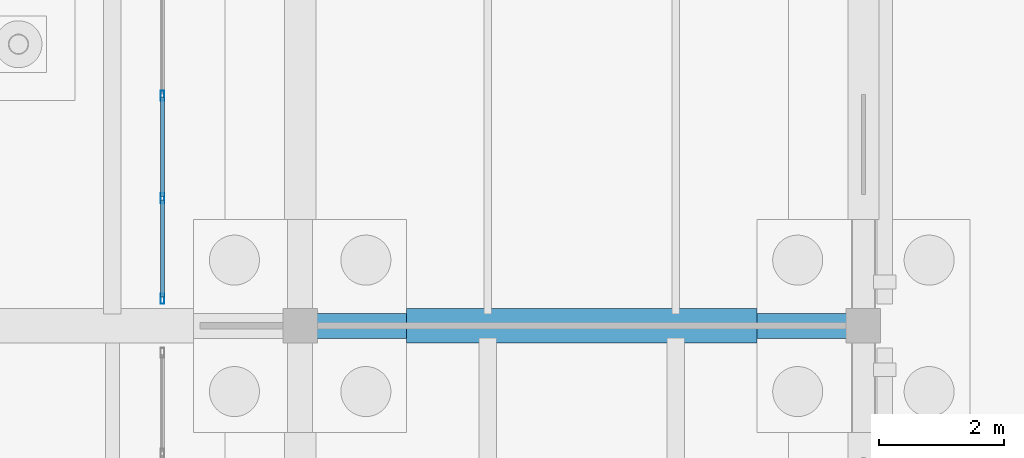
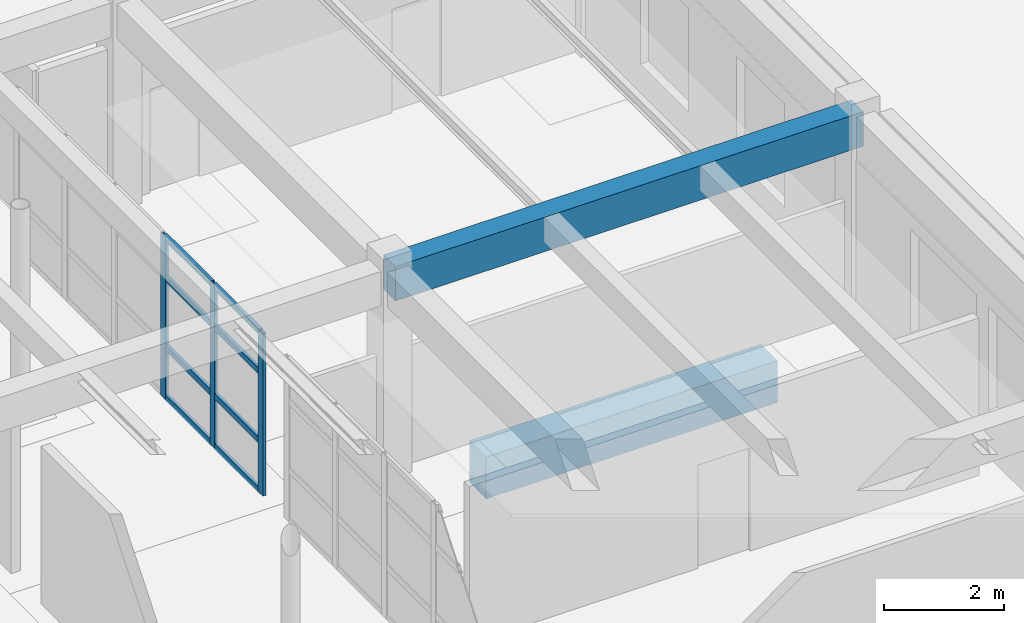
# One storey, part 53 of 186: 11 members, 2 beams, 1 element without a shape of its own.
"""IFC4 building model written with IfcOpenShell, lengths in metres."""

from ifc_helpers import new_model, si_unit, direction, frame, origin, origin_2d, place, context, subcontext, project, spatial, rectangle, hollow_rectangle, extrude, material, layer, layer_set, material_profile, profile_set, type_object, element, aggregate, save


model = new_model("IFC4")

# Units and contexts
model_context = context("Model", 3, precision=1e-05, world=origin(), true_north=direction((0.0, 1.0)))
body_context = subcontext(model_context, "Body", "Model", "MODEL_VIEW")
ifc_project = project(units=[si_unit("LENGTHUNIT", "METRE"), si_unit("AREAUNIT", "SQUARE_METRE"), si_unit("VOLUMEUNIT", "CUBIC_METRE"), si_unit("PLANEANGLEUNIT", "RADIAN"), si_unit("MASSUNIT", "GRAM", prefix="KILO")], contexts=[model_context])

# Site, building, storey
site_placement = place(None, origin())
site = spatial("IfcSite", under=ifc_project, at=site_placement, CompositionType="ELEMENT")
building_placement = place(site_placement, origin())
building = spatial("IfcBuilding", under=site, at=building_placement, Name="Ornek Quay Market", CompositionType="ELEMENT")
storey_placement = place(building_placement, origin())
storey = spatial("IfcBuildingStorey", under=building, at=storey_placement, Name="L00", CompositionType="ELEMENT", Elevation=0.0)

# Beams
ifc_material_1 = material(Name="Concrete C35/45", Category="concrete")
ifc_material_profile_1 = material_profile(ifc_material_1, rectangle(XDim=0.550048828125, YDim=0.85009765625, at=origin_2d()), Name="RC 550x850", Category="concrete")
ifc_profile_set_1 = profile_set([ifc_material_profile_1], Name="Concrete C35/45")
beam_type_1 = type_object("IfcBeamType", Name="BM-GB-550x850", PredefinedType="BEAM", material=ifc_profile_set_1)
beam_1_placement = place(storey_placement, frame((19.699951171875, 83.0, -0.625), z_axis=(1.0, 0.0, 0.0), x_axis=(0.0, 1.0, 0.0)))
element("IfcBeam", 1, at=beam_1_placement, inside=storey, type_object=beam_type_1, Name="Ground tie beam GB-032", PredefinedType="BEAM", context=body_context, shape_type="SweptSolid", body=[
    extrude(rectangle(XDim=0.550048828125, YDim=0.85009765625, at=origin_2d()), origin(), (0.0, 0.0, 1.0), 5.60009765625),
])
ifc_material_profile_2 = material_profile(ifc_material_1, rectangle(XDim=0.39990234375, YDim=0.699951171875, at=origin_2d()), Name="RC 400x700", Category="concrete")
ifc_profile_set_2 = profile_set([ifc_material_profile_2], Name="Concrete C35/45")
beam_type_2 = type_object("IfcBeamType", Name="BM-WW-400x700", PredefinedType="BEAM", material=ifc_profile_set_2)
beam_2_placement = place(storey_placement, frame((18.0, 83.0, 3.8701171875), z_axis=(1.0, 0.0, 0.0), x_axis=(0.0, 1.0, 0.0)))
element("IfcBeam", 2, at=beam_2_placement, inside=storey, type_object=beam_type_2, Name="Primary beam B-WW1-021", PredefinedType="BEAM", context=body_context, shape_type="SweptSolid", body=[
    extrude(rectangle(XDim=0.39990234375, YDim=0.699951171875, at=origin_2d()), origin(), (0.0, 0.0, 1.0), 9.0),
])

# Curtain wall, members
ifc_material_2 = material(Name="Anodised bronze aluminium and triple low-e glass", Category="aluminium")
ifc_layer = layer(ifc_material_2, 0.179931640625, Name="Anodised bronze aluminium and triple low-e glass", Category="aluminium")
ifc_layer_set = layer_set([ifc_layer], Name="Anodised bronze aluminium and triple low-e glass")
curtain_wall_type = type_object("IfcCurtainWallType", Name="CW-CONC-MOD1500", PredefinedType="USERDEFINED", material=ifc_layer_set)
curtain_wall_placement = place(storey_placement, origin())
curtain_wall = element("IfcCurtainWall", 3, at=curtain_wall_placement, inside=storey, type_object=curtain_wall_type, Name="Curtain wall CW-146", ObjectType="CURTAIN WALL", PredefinedType="USERDEFINED")
ifc_material_3 = material(Name="Anodised aluminium 6063-T6", Category="aluminium")
ifc_material_profile_3 = material_profile(ifc_material_3, hollow_rectangle(XDim=0.06005859375, YDim=0.159912109375, WallThickness=0.00390625, at=origin_2d()), Name="CW-MUL-60x160", Category="aluminium")
ifc_profile_set_3 = profile_set([ifc_material_profile_3], Name="Anodised aluminium 6063-T6")
member_type_1 = type_object("IfcMemberType", Name="CW-MUL-60x160", PredefinedType="MULLION", material=ifc_profile_set_3)
member_1_placement = place(storey_placement, frame((15.800048828125, 83.429931640625, 0.0), z_axis=(0.0, 0.0, 1.0), x_axis=(-1.0, 0.0, 0.0)))
member_1 = element("IfcMember", 4, at=member_1_placement, type_object=member_type_1, Name="CW-146 mullion 1", PredefinedType="MULLION", context=body_context, shape_type="SweptSolid", body=[
    extrude(hollow_rectangle(XDim=0.06005859375, YDim=0.159912109375, WallThickness=0.00390625, at=origin_2d()), origin(), (0.0, 0.0, 1.0), 3.300048828125),
])
member_2_placement = place(storey_placement, frame((15.800048828125, 85.0400390625, 0.0), z_axis=(0.0, 0.0, 1.0), x_axis=(-1.0, 0.0, 0.0)))
member_2 = element("IfcMember", 5, at=member_2_placement, type_object=member_type_1, Name="CW-146 mullion 2", PredefinedType="MULLION", context=body_context, shape_type="SweptSolid", body=[
    extrude(hollow_rectangle(XDim=0.06005859375, YDim=0.159912109375, WallThickness=0.00390625, at=origin_2d()), origin(), (0.0, 0.0, 1.0), 3.300048828125),
])
member_3_placement = place(storey_placement, frame((15.800048828125, 86.679931640625, 0.0), z_axis=(0.0, 0.0, 1.0), x_axis=(-1.0, 0.0, 0.0)))
member_3 = element("IfcMember", 6, at=member_3_placement, type_object=member_type_1, Name="CW-146 mullion 3", PredefinedType="MULLION", context=body_context, shape_type="SweptSolid", body=[
    extrude(hollow_rectangle(XDim=0.06005859375, YDim=0.159912109375, WallThickness=0.00390625, at=origin_2d()), origin(), (0.0, 0.0, 1.0), 3.300048828125),
])
ifc_material_profile_4 = material_profile(ifc_material_3, hollow_rectangle(XDim=0.06005859375, YDim=0.1201171875, WallThickness=0.00390625, at=origin_2d()), Name="CW-TRN-60x120", Category="aluminium")
ifc_profile_set_4 = profile_set([ifc_material_profile_4], Name="Anodised aluminium 6063-T6")
member_type_2 = type_object("IfcMemberType", Name="CW-TRN-60x120", PredefinedType="USERDEFINED", material=ifc_profile_set_4)
member_4_placement = place(storey_placement, frame((15.800048828125, 83.4599609375, 0.030029296875), z_axis=(0.0, 1.0, 0.0), x_axis=(-1.0, 0.0, 0.0)))
member_4 = element("IfcMember", 7, at=member_4_placement, type_object=member_type_2, Name="CW-146 transom 1.1", ObjectType="TRANSOM", PredefinedType="USERDEFINED", context=body_context, shape_type="SweptSolid", body=[
    extrude(hollow_rectangle(XDim=0.06005859375, YDim=0.1201171875, WallThickness=0.00390625, at=origin_2d()), origin(), (0.0, 0.0, 1.0), 1.550048828125),
])
member_5_placement = place(storey_placement, frame((15.800048828125, 83.4599609375, 1.050048828125), z_axis=(0.0, 1.0, 0.0), x_axis=(-1.0, 0.0, 0.0)))
member_5 = element("IfcMember", 8, at=member_5_placement, type_object=member_type_2, Name="CW-146 transom 1.2", ObjectType="TRANSOM", PredefinedType="USERDEFINED", context=body_context, shape_type="SweptSolid", body=[
    extrude(hollow_rectangle(XDim=0.06005859375, YDim=0.1201171875, WallThickness=0.00390625, at=origin_2d()), origin(), (0.0, 0.0, 1.0), 1.550048828125),
])
member_6_placement = place(storey_placement, frame((15.800048828125, 83.4599609375, 2.449951171875), z_axis=(0.0, 1.0, 0.0), x_axis=(-1.0, 0.0, 0.0)))
member_6 = element("IfcMember", 9, at=member_6_placement, type_object=member_type_2, Name="CW-146 transom 1.3", ObjectType="TRANSOM", PredefinedType="USERDEFINED", context=body_context, shape_type="SweptSolid", body=[
    extrude(hollow_rectangle(XDim=0.06005859375, YDim=0.1201171875, WallThickness=0.00390625, at=origin_2d()), origin(), (0.0, 0.0, 1.0), 1.550048828125),
])
member_7_placement = place(storey_placement, frame((15.800048828125, 83.4599609375, 3.27001953125), z_axis=(0.0, 1.0, 0.0), x_axis=(-1.0, 0.0, 0.0)))
member_7 = element("IfcMember", 10, at=member_7_placement, type_object=member_type_2, Name="CW-146 transom 1.4", ObjectType="TRANSOM", PredefinedType="USERDEFINED", context=body_context, shape_type="SweptSolid", body=[
    extrude(hollow_rectangle(XDim=0.06005859375, YDim=0.1201171875, WallThickness=0.00390625, at=origin_2d()), origin(), (0.0, 0.0, 1.0), 1.550048828125),
])
member_8_placement = place(storey_placement, frame((15.800048828125, 85.070068359375, 0.030029296875), z_axis=(0.0, 1.0, 0.0), x_axis=(-1.0, 0.0, 0.0)))
member_8 = element("IfcMember", 11, at=member_8_placement, type_object=member_type_2, Name="CW-146 transom 2.1", ObjectType="TRANSOM", PredefinedType="USERDEFINED", context=body_context, shape_type="SweptSolid", body=[
    extrude(hollow_rectangle(XDim=0.06005859375, YDim=0.1201171875, WallThickness=0.00390625, at=origin_2d()), origin(), (0.0, 0.0, 1.0), 1.579833984375),
])
member_9_placement = place(storey_placement, frame((15.800048828125, 85.070068359375, 1.050048828125), z_axis=(0.0, 1.0, 0.0), x_axis=(-1.0, 0.0, 0.0)))
member_9 = element("IfcMember", 12, at=member_9_placement, type_object=member_type_2, Name="CW-146 transom 2.2", ObjectType="TRANSOM", PredefinedType="USERDEFINED", context=body_context, shape_type="SweptSolid", body=[
    extrude(hollow_rectangle(XDim=0.06005859375, YDim=0.1201171875, WallThickness=0.00390625, at=origin_2d()), origin(), (0.0, 0.0, 1.0), 1.579833984375),
])
member_10_placement = place(storey_placement, frame((15.800048828125, 85.070068359375, 2.449951171875), z_axis=(0.0, 1.0, 0.0), x_axis=(-1.0, 0.0, 0.0)))
member_10 = element("IfcMember", 13, at=member_10_placement, type_object=member_type_2, Name="CW-146 transom 2.3", ObjectType="TRANSOM", PredefinedType="USERDEFINED", context=body_context, shape_type="SweptSolid", body=[
    extrude(hollow_rectangle(XDim=0.06005859375, YDim=0.1201171875, WallThickness=0.00390625, at=origin_2d()), origin(), (0.0, 0.0, 1.0), 1.579833984375),
])
member_11_placement = place(storey_placement, frame((15.800048828125, 85.070068359375, 3.27001953125), z_axis=(0.0, 1.0, 0.0), x_axis=(-1.0, 0.0, 0.0)))
member_11 = element("IfcMember", 14, at=member_11_placement, type_object=member_type_2, Name="CW-146 transom 2.4", ObjectType="TRANSOM", PredefinedType="USERDEFINED", context=body_context, shape_type="SweptSolid", body=[
    extrude(hollow_rectangle(XDim=0.06005859375, YDim=0.1201171875, WallThickness=0.00390625, at=origin_2d()), origin(), (0.0, 0.0, 1.0), 1.579833984375),
])
aggregate(curtain_wall, [member_1, member_2, member_3, member_4, member_5, member_6, member_7, member_8, member_9, member_10, member_11])

save(model, "model.ifc")
